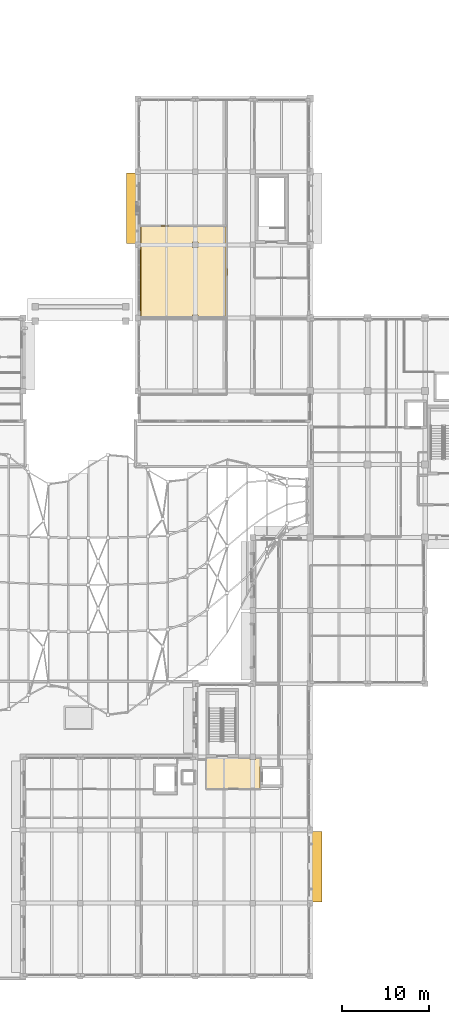
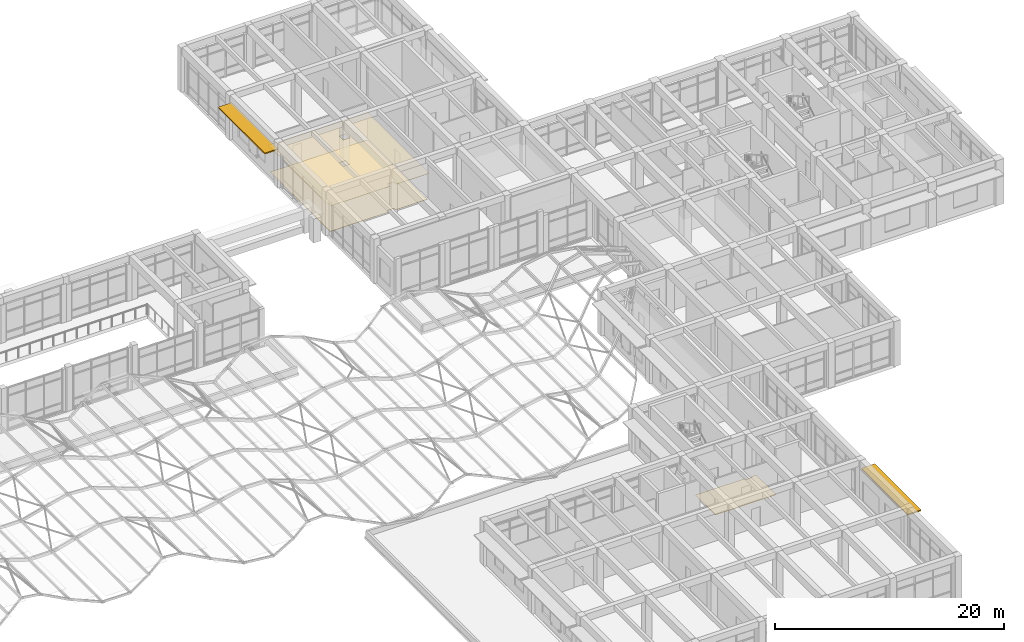
# One storey, part 74 of 79: 3 coverings, 2 shading devices.
"""IFC4 building model written with IfcOpenShell, lengths in metres."""

import ifcopenshell
import ifcopenshell.guid

model = None  # the IFC model being written
_history = None  # IfcOwnerHistory: only IFC2X3 demands one
_inside = {}  # id of a spatial element -> (the spatial element, [elements in it])
_under = {}  # id of a project, library or spatial element -> (it, [spatial elements below it])
_declared = {}  # id of a project -> (the project, [libraries it declares])
_typed = {}  # id of a type object -> (the type object, [elements of that type])
_made_of = {}  # id of a material, layer set ... -> (it, [elements and type objects made of it])


def new_model(schema):
    """Start an empty IFC model of exactly this schema.

    Asked for "IFC4X3", IfcOpenShell would pick the latest addendum, in which some entities
    have other attributes; the version numbers below select the first issue.
    IFC2X3 requires an IfcOwnerHistory on every rooted entity: one is made here for all.
    """
    global model, _history
    if schema == "IFC4X3":
        model = ifcopenshell.file(schema_version=(4, 3, 0, 0))
    else:
        model = ifcopenshell.file(schema=schema)
    _inside.clear()
    _under.clear()
    _declared.clear()
    _typed.clear()
    _made_of.clear()
    _history = None
    if model.schema == "IFC2X3":
        org = make("IfcOrganization", Name="unknown")
        user = make(
            "IfcPersonAndOrganization",
            ThePerson=make("IfcPerson", FamilyName="unknown"),
            TheOrganization=org,
        )
        app = make(
            "IfcApplication",
            ApplicationDeveloper=org,
            Version="unknown",
            ApplicationFullName="unknown",
            ApplicationIdentifier="unknown",
        )
        _history = make(
            "IfcOwnerHistory",
            OwningUser=user,
            OwningApplication=app,
            ChangeAction="ADDED",
            CreationDate=0,
        )
    return model


def make(cls, **values):
    """One entity of the class cls with the attributes given. An attribute that is None is left unset."""
    return model.create_entity(
        cls, **{name: value for name, value in values.items() if value is not None}
    )


def rooted(cls, **values):
    """An entity with a GlobalId (a new one), such as an element, a storey or a relation."""
    return make(cls, GlobalId=ifcopenshell.guid.new(), OwnerHistory=_history, **values)


def si_unit(unit_type, name, prefix=None):
    """IfcSIUnit, for example si_unit("LENGTHUNIT", "METRE", prefix="MILLI")."""
    return make("IfcSIUnit", UnitType=unit_type, Prefix=prefix, Name=name)


def assignment(units):
    """IfcUnitAssignment: the units of a project."""
    return None if units is None else make("IfcUnitAssignment", Units=units)


def point(xyz):
    """IfcCartesianPoint."""
    return None if xyz is None else make("IfcCartesianPoint", Coordinates=xyz)


def direction(xyz):
    """IfcDirection."""
    return None if xyz is None else make("IfcDirection", DirectionRatios=xyz)


def frame(location, z_axis=None, x_axis=None):
    """IfcAxis2Placement3D, a coordinate frame: its origin and axes. An axis left out is left unset."""
    return make(
        "IfcAxis2Placement3D",
        Location=point(location),
        Axis=direction(z_axis),
        RefDirection=direction(x_axis),
    )


def frame_2d(location, x_axis=None):
    """IfcAxis2Placement2D, a coordinate frame in the plane: its origin and x axis."""
    return make(
        "IfcAxis2Placement2D", Location=point(location), RefDirection=direction(x_axis)
    )


def origin():
    """The frame at (0, 0, 0) with its axes left unset."""
    return frame((0.0, 0.0, 0.0))


def origin_2d():
    """The frame at (0, 0) in the plane with its x axis left unset."""
    return frame_2d((0.0, 0.0))


def place(relative_to, where):
    """IfcLocalPlacement: puts the frame where relative to a parent placement (None: the world)."""
    return make(
        "IfcLocalPlacement", PlacementRelTo=relative_to, RelativePlacement=where
    )


def context(
    kind, dimensions, precision=None, world=None, true_north=None, identifier=None
):
    """IfcGeometricRepresentationContext, for example the 3D "Model" context."""
    return make(
        "IfcGeometricRepresentationContext",
        ContextIdentifier=identifier,
        ContextType=kind,
        CoordinateSpaceDimension=dimensions,
        Precision=precision,
        WorldCoordinateSystem=world,
        TrueNorth=true_north,
    )


def subcontext(parent, identifier, kind, view, scale=None):
    """IfcGeometricRepresentationSubContext, for example "Body" below "Model"."""
    return make(
        "IfcGeometricRepresentationSubContext",
        ContextIdentifier=identifier,
        ContextType=kind,
        ParentContext=parent,
        TargetScale=scale,
        TargetView=view,
    )


def project(units=None, contexts=None):
    """IfcProject with its units and contexts."""
    return rooted(
        "IfcProject",
        Name="project",
        RepresentationContexts=contexts,
        UnitsInContext=assignment(units),
    )


def spatial(cls, under=None, at=None, **own):
    """A site, building, storey or space (cls), placed at a placement, below another one or the project."""
    s = rooted(cls, ObjectPlacement=at, **own)
    if under is not None:
        _under.setdefault(under.id(), (under, []))[1].append(s)
    return s


def polyline(points):
    """IfcPolyline through the points."""
    return make("IfcPolyline", Points=[point(p) for p in points])


def profile(cls, at=None, kind="AREA", **sizes):
    """A parametric profile (cls). Its sizes go by their IFC names, for example OverallWidth=200.0."""
    return make(cls, ProfileType=kind, Position=at, **sizes)


def rectangle(**sizes):
    """IfcRectangleProfileDef."""
    return profile("IfcRectangleProfileDef", **sizes)


def outline(outer, holes=None, kind="AREA"):
    """IfcArbitraryClosedProfileDef: a profile drawn as a closed curve; with holes, ...WithVoids."""
    if holes is None:
        return make("IfcArbitraryClosedProfileDef", ProfileType=kind, OuterCurve=outer)
    return make(
        "IfcArbitraryProfileDefWithVoids",
        ProfileType=kind,
        OuterCurve=outer,
        InnerCurves=holes,
    )


def extrude(swept, where, along, depth):
    """IfcExtrudedAreaSolid: the profile swept, set in the frame where, extruded along a direction by depth."""
    return make(
        "IfcExtrudedAreaSolid",
        SweptArea=swept,
        Position=where,
        ExtrudedDirection=direction(along),
        Depth=depth,
    )


def shape(context_of_items, identifier, shape_type, items):
    """IfcShapeRepresentation: the items that make up one representation, for example the "Body"."""
    return make(
        "IfcShapeRepresentation",
        ContextOfItems=context_of_items,
        RepresentationIdentifier=identifier,
        RepresentationType=shape_type,
        Items=items,
    )


def material(Name=None, Category=None):
    """IfcMaterial."""
    return make("IfcMaterial", Name=Name, Category=Category)


def layer(
    of_material, thickness, ventilated=None, Name=None, Category=None, Priority=None
):
    """IfcMaterialLayer: one layer of a wall or slab, of a material (None: an air gap)."""
    return make(
        "IfcMaterialLayer",
        Material=of_material,
        LayerThickness=thickness,
        IsVentilated=ventilated,
        Name=Name,
        Category=Category,
        Priority=Priority,
    )


def layer_set(layers, Name=None):
    """IfcMaterialLayerSet."""
    return make("IfcMaterialLayerSet", MaterialLayers=layers, LayerSetName=Name)


def made_of(thing, what):
    """Note that an element or type object is made of a material, layer set ...; save() writes the relation."""
    if what is not None:
        _made_of.setdefault(what.id(), (what, []))[1].append(thing)
    return thing


def type_object(cls, material=None, **own):
    """A type object (cls), such as IfcWallType, which elements share."""
    return made_of(rooted(cls, **own), material)


def element(
    cls,
    number,
    at=None,
    inside=None,
    cuts=None,
    type_object=None,
    material=None,
    context=None,
    identifier="Body",
    shape_type=None,
    held_by="IfcProductDefinitionShape",
    body=None,
    shapes=None,
    **own,
):
    """One element of the class cls, such as IfcWall. Its Tag is "e" and its number.

    at: its placement. inside: the storey or other place that contains it. cuts: it is an
    opening in that element (IfcRelVoidsElement). A single representation is given by context,
    identifier, shape_type and body (its items); several are given by shapes. held_by: the class
    of the entity that holds the representations. save() writes the other relations.
    """
    e = rooted(cls, Tag="e%d" % number, ObjectPlacement=at, **own)
    if body is not None:
        shapes = [shape(context, identifier, shape_type, body)]
    if shapes is not None:
        e.Representation = make(held_by, Representations=shapes)
    if inside is not None:
        _inside.setdefault(inside.id(), (inside, []))[1].append(e)
    if cuts is not None:
        rooted(
            "IfcRelVoidsElement", RelatingBuildingElement=cuts, RelatedOpeningElement=e
        )
    if type_object is not None:
        _typed.setdefault(type_object.id(), (type_object, []))[1].append(e)
    return made_of(e, material)


def aggregate(whole, parts):
    """IfcRelAggregates: a whole, such as a stair, and the parts it consists of."""
    return rooted("IfcRelAggregates", RelatingObject=whole, RelatedObjects=parts)


def save(model, path):
    """Write the relations noted so far, then the file.

    IfcRelAggregates (storeys below a building ...), IfcRelContainedInSpatialStructure (elements
    in a storey), IfcRelDefinesByType, IfcRelAssociatesMaterial and IfcRelDeclares: one each for
    every whole, place, type object, material and project.
    """
    for whole, parts in _under.values():
        aggregate(whole, parts)
    for where, things in _inside.values():
        rooted(
            "IfcRelContainedInSpatialStructure",
            RelatedElements=things,
            RelatingStructure=where,
        )
    for kind, things in _typed.values():
        rooted("IfcRelDefinesByType", RelatedObjects=things, RelatingType=kind)
    for what, things in _made_of.values():
        rooted("IfcRelAssociatesMaterial", RelatedObjects=things, RelatingMaterial=what)
    for by, libraries in _declared.values():
        rooted("IfcRelDeclares", RelatingContext=by, RelatedDefinitions=libraries)
    model.write(path)


model = new_model("IFC4")

# Units and contexts
model_context = context("Model", 3, precision=1e-05, world=origin(), true_north=direction((0.0, 1.0)))
body_context = subcontext(model_context, "Body", "Model", "MODEL_VIEW")
ifc_project = project(units=[si_unit("LENGTHUNIT", "METRE"), si_unit("AREAUNIT", "SQUARE_METRE"), si_unit("VOLUMEUNIT", "CUBIC_METRE"), si_unit("PLANEANGLEUNIT", "RADIAN"), si_unit("MASSUNIT", "GRAM", prefix="KILO")], contexts=[model_context])

# Site, building, storey
site_placement = place(None, origin())
site = spatial("IfcSite", under=ifc_project, at=site_placement, CompositionType="ELEMENT")
building_placement = place(site_placement, origin())
building = spatial("IfcBuilding", under=site, at=building_placement, Name="Kolvaren Faculty of Natural Sciences", CompositionType="ELEMENT")
storey_placement = place(building_placement, frame((0.0, 0.0, 10.199951171875)))
storey = spatial("IfcBuildingStorey", under=building, at=storey_placement, Name="L02", CompositionType="ELEMENT", Elevation=10.199951171875)

# Covering
ifc_material_1 = material(Name="Perforated mineral-fibre acoustic suspended ceiling tile")
ifc_layer_1 = layer(ifc_material_1, 0.02490234375)
ifc_layer_set_1 = layer_set([ifc_layer_1], Name="Perforated mineral-fibre acoustic suspended ceiling tile")
covering_type_1 = type_object("IfcCoveringType", Name="AcousticSuspendedCeiling_25", PredefinedType="CEILING", material=ifc_layer_set_1)
covering_1_placement = place(storey_placement, frame((0.0, 0.0, 2.824951171875)))
element("IfcCovering", 1, at=covering_1_placement, inside=storey, type_object=covering_type_1, Name="L02 Graduate Commons and Archive Library acoustic ceiling", PredefinedType="CEILING", context=body_context, shape_type="SweptSolid", body=[
    extrude(outline(polyline([(119.219970703125, 92.27490234375), (119.324951171875, 92.27490234375), (119.324951171875, 92.925048828125), (119.219970703125, 92.925048828125), (119.219970703125, 94.864013671875), (129.280029296875, 94.864013671875), (129.280029296875, 84.1201171875), (125.925048828125, 84.1201171875), (125.925048828125, 84.52490234375), (125.27490234375, 84.52490234375), (125.27490234375, 84.1201171875), (119.324951171875, 84.1201171875), (119.324951171875, 84.52490234375), (119.219970703125, 84.52490234375), (119.219970703125, 92.27490234375)]), holes=[polyline([(125.27490234375, 92.925048828125), (125.27490234375, 92.27490234375), (125.925048828125, 92.27490234375), (125.925048828125, 92.925048828125), (125.27490234375, 92.925048828125)])]), origin(), (0.0, 0.0, 1.0), 0.025146484375),
])

# Shading devices
ifc_material_2 = material(Name="Precast concrete C35/45", Category="concrete")
ifc_layer_2 = layer(ifc_material_2, 0.1201171875)
ifc_layer_set_2 = layer_set([ifc_layer_2], Name="Precast concrete C35/45")
shading_device_type = type_object("IfcShadingDeviceType", Name="ChhajjaSolarHood_1350", PredefinedType="AWNING", material=ifc_layer_set_2)
for number, where, z_axis, x_axis, name in (
    (2, (118.344970703125, 96.800048828125, 3.695068359375), (0.0, 0.0, 1.0), (0.0, 1.0, 0.0), "L02 precast sandstone chhajja solar hood 99"),
    (3, (139.455078125, 21.199951171875, 3.695068359375), (0.0, 0.0, 1.0), (0.0, -1.0, 0.0), "L02 precast sandstone chhajja solar hood 105"),
):
    element("IfcShadingDevice", number, at=place(storey_placement, frame(where, z_axis=z_axis, x_axis=x_axis)), inside=storey, type_object=shading_device_type, Name=name, PredefinedType="AWNING", context=body_context, shape_type="SweptSolid", body=[
        extrude(rectangle(XDim=8.10009765625, YDim=1.35009765625, at=origin_2d()), origin(), (0.0, 0.0, 1.0), 0.1201171875),
    ])

# Coverings
ifc_material_3 = material(Name="Polished Uruguayan grey granite terrazzo flooring", Category="masonry")
ifc_layer_3 = layer(ifc_material_3, 0.030029296875)
ifc_layer_set_3 = layer_set([ifc_layer_3], Name="Polished Uruguayan grey granite terrazzo flooring")
covering_type_2 = type_object("IfcCoveringType", Name="TerrazzoFloorFinish_30", PredefinedType="FLOORING", material=ifc_layer_set_3)
covering_2_placement = place(storey_placement, origin())
element("IfcCovering", 4, at=covering_2_placement, inside=storey, type_object=covering_type_2, Name="L02 L02 Protected Stair Lobby ST-3 floor finish", PredefinedType="FLOORING", context=body_context, shape_type="SweptSolid", body=[
    extrude(outline(polyline([(131.875, 33.639892578125), (131.875, 33.47509765625), (132.52490234375, 33.47509765625), (132.52490234375, 33.639892578125), (133.0400390625, 33.639892578125), (133.0400390625, 30.159912109375), (126.909912109375, 30.159912109375), (126.909912109375, 33.639892578125), (131.875, 33.639892578125)])), origin(), (0.0, 0.0, 1.0), 0.030029296875),
])
covering_3_placement = place(storey_placement, origin())
element("IfcCovering", 5, at=covering_3_placement, inside=storey, type_object=covering_type_2, Name="L02 Graduate Commons and Archive Library floor finish", PredefinedType="FLOORING", context=body_context, shape_type="SweptSolid", body=[
    extrude(outline(polyline([(125.925048828125, 84.260009765625), (125.925048828125, 84.52490234375), (125.27490234375, 84.52490234375), (125.27490234375, 84.260009765625), (119.360107421875, 84.260009765625), (119.360107421875, 94.72412109375), (129.139892578125, 94.72412109375), (129.139892578125, 84.260009765625), (125.925048828125, 84.260009765625)]), holes=[polyline([(125.27490234375, 92.925048828125), (125.27490234375, 92.27490234375), (125.925048828125, 92.27490234375), (125.925048828125, 92.925048828125), (125.27490234375, 92.925048828125)])]), origin(), (0.0, 0.0, 1.0), 0.030029296875),
])

save(model, "model.ifc")
